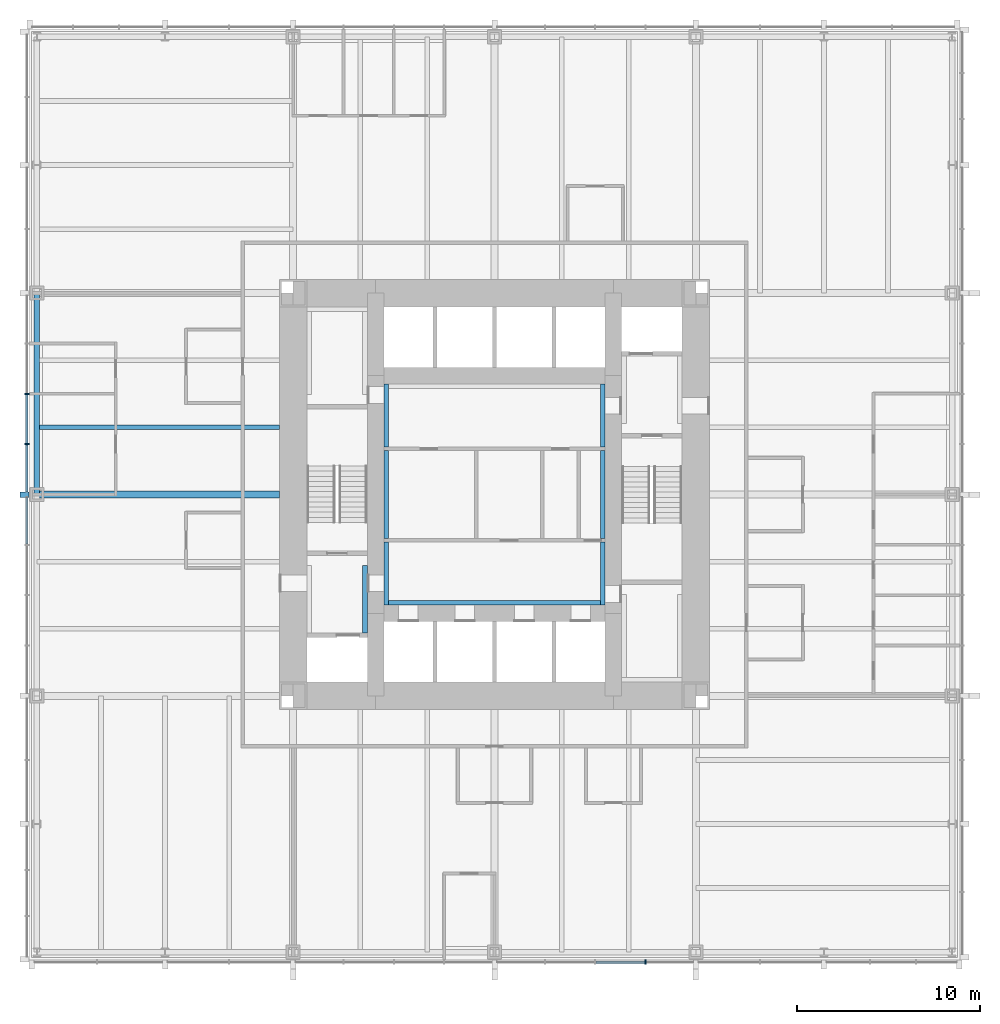
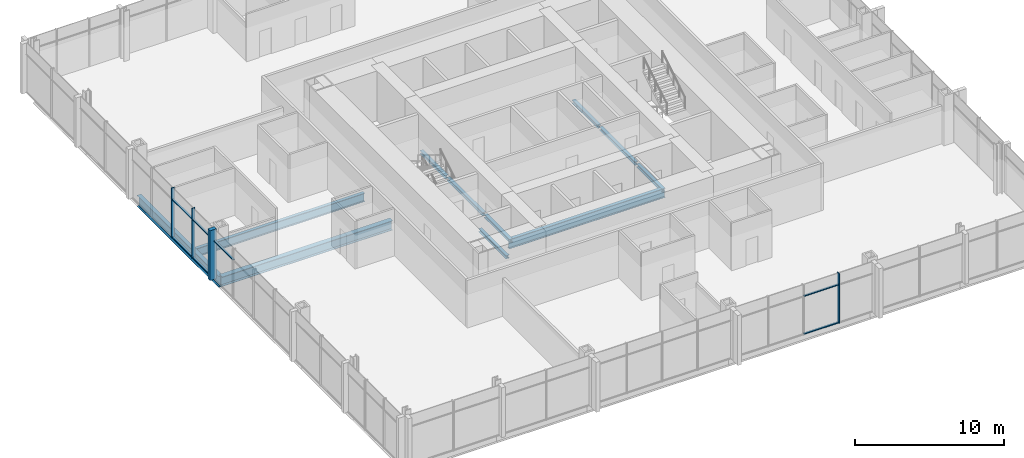
# One storey, part 3 of 12: 11 beams, 11 members, 2 elements without a shape of their own.
"""IFC4 building model written with IfcOpenShell, lengths in metres."""

from ifc_helpers import new_model, si_unit, direction, frame, origin, origin_2d, place, context, subcontext, project, spatial, rectangle, i_section, extrude, material, material_profile, profile_set, type_object, element, aggregate, save


model = new_model("IFC4")

# Units and contexts
model_context = context("Model", 3, precision=1e-05, world=origin(), true_north=direction((0.0, 1.0)))
body_context = subcontext(model_context, "Body", "Model", "MODEL_VIEW")
ifc_project = project(units=[si_unit("LENGTHUNIT", "METRE"), si_unit("AREAUNIT", "SQUARE_METRE"), si_unit("VOLUMEUNIT", "CUBIC_METRE"), si_unit("PLANEANGLEUNIT", "RADIAN"), si_unit("MASSUNIT", "GRAM", prefix="KILO")], contexts=[model_context])

# Site, building, storey
site_placement = place(None, origin())
site = spatial("IfcSite", under=ifc_project, at=site_placement, CompositionType="ELEMENT")
building_placement = place(site_placement, origin())
building = spatial("IfcBuilding", under=site, at=building_placement, Name="Trevanion Tower", CompositionType="ELEMENT")
storey_placement = place(building_placement, frame((0.0, 0.0, 36.5)))
storey = spatial("IfcBuildingStorey", under=building, at=storey_placement, Name="L08", CompositionType="ELEMENT", Elevation=36.5)

# Beam
ifc_material_1 = material(Name="Steel ASTM A992 Grade 50", Category="steel")
ifc_material_profile_1 = material_profile(ifc_material_1, i_section(OverallWidth=0.25390625, OverallDepth=0.700927734375, WebThickness=0.015380859375, FlangeThickness=0.02783203125, at=origin_2d()), Name="W27X129")
ifc_profile_set_1 = profile_set([ifc_material_profile_1], Name="Steel ASTM A992 Grade 50")
beam_type_1 = type_object("IfcBeamType", Name="B3 W27X129", PredefinedType="BEAM", material=ifc_profile_set_1)
beam_1_placement = place(storey_placement, frame((-11.75, 3.666748046875, -0.54052734375), z_axis=(-1.0, 0.0, 0.0), x_axis=(0.0, -1.0, 0.0)))
element("IfcBeam", 1, at=beam_1_placement, inside=storey, type_object=beam_type_1, Name="B3 L08", PredefinedType="BEAM", context=body_context, shape_type="SweptSolid", body=[
    extrude(i_section(OverallWidth=0.25390625, OverallDepth=0.700927734375, WebThickness=0.015380859375, FlangeThickness=0.02783203125, at=origin_2d()), origin(), (0.0, 0.0, 1.0), 13.25),
])

# Curtain wall, members
ifc_material_2 = material(Name="Aluminium and glass", Category="aluminium")
curtain_wall_type = type_object("IfcCurtainWallType", Name="CW1 curtain wall", PredefinedType="USERDEFINED", material=ifc_material_2)
curtain_wall_1_placement = place(storey_placement, origin())
curtain_wall_1 = element("IfcCurtainWall", 2, at=curtain_wall_1_placement, inside=storey, type_object=curtain_wall_type, Name="CW1 L08 2", ObjectType="UNITISED CURTAIN WALL", PredefinedType="USERDEFINED")
ifc_material_3 = material(Name="Aluminium extrusion, anodised bronze", Category="aluminium")
ifc_material_profile_2 = material_profile(ifc_material_3, rectangle(XDim=0.074951171875, YDim=0.25, at=origin_2d()), Name="CW1 mullion")
ifc_profile_set_2 = profile_set([ifc_material_profile_2], Name="Aluminium extrusion, anodised bronze")
member_type_1 = type_object("IfcMemberType", Name="CW1 mullion", PredefinedType="MULLION", material=ifc_profile_set_2)
member_1_placement = place(storey_placement, frame((-25.550048828125, 5.5, -0.18994140625), z_axis=(0.0, 0.0, 1.0), x_axis=(0.0, -1.0, 0.0)))
member_1 = element("IfcMember", 3, at=member_1_placement, type_object=member_type_1, Name="CW1 mullion 7", PredefinedType="MULLION", context=body_context, shape_type="SweptSolid", body=[
    extrude(rectangle(XDim=0.074951171875, YDim=0.25, at=origin_2d()), origin(), (0.0, 0.0, 1.0), 4.099853515625),
])
member_2_placement = place(storey_placement, frame((-25.550048828125, 2.75, -0.18994140625), z_axis=(0.0, 0.0, 1.0), x_axis=(0.0, -1.0, 0.0)))
member_2 = element("IfcMember", 4, at=member_2_placement, type_object=member_type_1, Name="CW1 mullion 8", PredefinedType="MULLION", context=body_context, shape_type="SweptSolid", body=[
    extrude(rectangle(XDim=0.074951171875, YDim=0.25, at=origin_2d()), origin(), (0.0, 0.0, 1.0), 4.099853515625),
])

# Curtain wall, member
curtain_wall_2_placement = place(storey_placement, origin())
curtain_wall_2 = element("IfcCurtainWall", 5, at=curtain_wall_2_placement, inside=storey, type_object=curtain_wall_type, Name="CW1 L08 3", ObjectType="UNITISED CURTAIN WALL", PredefinedType="USERDEFINED")
member_3_placement = place(storey_placement, frame((8.25, -25.550048828125, -0.18994140625), z_axis=(0.0, 0.0, 1.0), x_axis=(1.0, 0.0, 0.0)))
member_3 = element("IfcMember", 6, at=member_3_placement, type_object=member_type_1, Name="CW1 mullion 12", PredefinedType="MULLION", context=body_context, shape_type="SweptSolid", body=[
    extrude(rectangle(XDim=0.074951171875, YDim=0.25, at=origin_2d()), origin(), (0.0, 0.0, 1.0), 4.099853515625),
])

# Member
ifc_material_4 = material(Name="Aluminium extrusion, anodised bronze", Category="aluminium")
ifc_material_profile_3 = material_profile(ifc_material_4, rectangle(XDim=0.300048828125, YDim=0.5, at=origin_2d()), Name="CW1 pier mullion")
ifc_profile_set_3 = profile_set([ifc_material_profile_3], Name="Aluminium extrusion, anodised bronze")
member_type_2 = type_object("IfcMemberType", Name="CW1 pier mullion", PredefinedType="MULLION", material=ifc_profile_set_3)
member_4_placement = place(storey_placement, frame((-25.675048828125, 0.0, -0.18994140625), z_axis=(0.0, 0.0, 1.0), x_axis=(0.0, -1.0, 0.0)))
member_4 = element("IfcMember", 7, at=member_4_placement, type_object=member_type_2, Name="CW1 pier mullion 9", PredefinedType="MULLION", context=body_context, shape_type="SweptSolid", body=[
    extrude(rectangle(XDim=0.300048828125, YDim=0.5, at=origin_2d()), origin(), (0.0, 0.0, 1.0), 4.099853515625),
])

ifc_material_5 = material(Name="Aluminium extrusion, anodised bronze", Category="aluminium")
ifc_material_profile_4 = material_profile(ifc_material_5, rectangle(XDim=0.14990234375, YDim=0.074951171875, at=origin_2d()), Name="CW1 transom")
ifc_profile_set_4 = profile_set([ifc_material_profile_4], Name="Aluminium extrusion, anodised bronze")
member_type_3 = type_object("IfcMemberType", Name="CW1 transom", PredefinedType="USERDEFINED", material=ifc_profile_set_4)
member_5_placement = place(storey_placement, frame((-25.550048828125, 5.46240234375, -0.152587890625), z_axis=(0.0, -1.0, 0.0), x_axis=(1.0, 0.0, 0.0)))
member_5 = element("IfcMember", 8, at=member_5_placement, type_object=member_type_3, Name="CW1 transom 7.1", ObjectType="TRANSOM", PredefinedType="USERDEFINED", context=body_context, shape_type="SweptSolid", body=[
    extrude(rectangle(XDim=0.14990234375, YDim=0.074951171875, at=origin_2d()), origin(), (0.0, 0.0, 1.0), 2.6748046875),
])

member_6_placement = place(storey_placement, frame((-25.550048828125, 5.46240234375, 2.9599609375), z_axis=(0.0, -1.0, 0.0), x_axis=(1.0, 0.0, 0.0)))
member_6 = element("IfcMember", 9, at=member_6_placement, type_object=member_type_3, Name="CW1 transom 7.2", ObjectType="TRANSOM", PredefinedType="USERDEFINED", context=body_context, shape_type="SweptSolid", body=[
    extrude(rectangle(XDim=0.14990234375, YDim=0.074951171875, at=origin_2d()), origin(), (0.0, 0.0, 1.0), 2.6748046875),
])

member_7_placement = place(storey_placement, frame((-25.550048828125, 2.71240234375, -0.152587890625), z_axis=(0.0, -1.0, 0.0), x_axis=(1.0, 0.0, 0.0)))
member_7 = element("IfcMember", 10, at=member_7_placement, type_object=member_type_3, Name="CW1 transom 8.1", ObjectType="TRANSOM", PredefinedType="USERDEFINED", context=body_context, shape_type="SweptSolid", body=[
    extrude(rectangle(XDim=0.14990234375, YDim=0.074951171875, at=origin_2d()), origin(), (0.0, 0.0, 1.0), 2.5625),
])

member_8_placement = place(storey_placement, frame((-25.550048828125, 2.71240234375, 2.9599609375), z_axis=(0.0, -1.0, 0.0), x_axis=(1.0, 0.0, 0.0)))
member_8 = element("IfcMember", 11, at=member_8_placement, type_object=member_type_3, Name="CW1 transom 8.2", ObjectType="TRANSOM", PredefinedType="USERDEFINED", context=body_context, shape_type="SweptSolid", body=[
    extrude(rectangle(XDim=0.14990234375, YDim=0.074951171875, at=origin_2d()), origin(), (0.0, 0.0, 1.0), 2.5625),
])

member_9_placement = place(storey_placement, frame((-25.550048828125, -0.14990234375, 2.9599609375), z_axis=(0.0, -1.0, 0.0), x_axis=(1.0, 0.0, 0.0)))
member_9 = element("IfcMember", 12, at=member_9_placement, type_object=member_type_3, Name="CW1 transom 9.2", ObjectType="TRANSOM", PredefinedType="USERDEFINED", context=body_context, shape_type="SweptSolid", body=[
    extrude(rectangle(XDim=0.14990234375, YDim=0.074951171875, at=origin_2d()), origin(), (0.0, 0.0, 1.0), 2.5625),
])

aggregate(curtain_wall_1, [member_1, member_2, member_4, member_5, member_6, member_7, member_8, member_9])

member_10_placement = place(storey_placement, frame((5.53759765625, -25.550048828125, -0.152587890625), z_axis=(1.0, 0.0, 0.0), x_axis=(0.0, 1.0, 0.0)))
member_10 = element("IfcMember", 13, at=member_10_placement, type_object=member_type_3, Name="CW1 transom 11.1", ObjectType="TRANSOM", PredefinedType="USERDEFINED", context=body_context, shape_type="SweptSolid", body=[
    extrude(rectangle(XDim=0.14990234375, YDim=0.074951171875, at=origin_2d()), origin(), (0.0, 0.0, 1.0), 2.6748046875),
])

member_11_placement = place(storey_placement, frame((5.53759765625, -25.550048828125, 2.9599609375), z_axis=(1.0, 0.0, 0.0), x_axis=(0.0, 1.0, 0.0)))
member_11 = element("IfcMember", 14, at=member_11_placement, type_object=member_type_3, Name="CW1 transom 11.2", ObjectType="TRANSOM", PredefinedType="USERDEFINED", context=body_context, shape_type="SweptSolid", body=[
    extrude(rectangle(XDim=0.14990234375, YDim=0.074951171875, at=origin_2d()), origin(), (0.0, 0.0, 1.0), 2.6748046875),
])

aggregate(curtain_wall_2, [member_3, member_10, member_11])

# Beams
ifc_material_6 = material(Name="Steel ASTM A992 Grade 50", Category="steel")
ifc_material_profile_5 = material_profile(ifc_material_6, i_section(OverallWidth=0.381103515625, OverallDepth=0.77978515625, WebThickness=0.01806640625, FlangeThickness=0.0302734375, at=origin_2d()), Name="W30X191")
ifc_profile_set_5 = profile_set([ifc_material_profile_5], Name="Steel ASTM A992 Grade 50")
beam_type_2 = type_object("IfcBeamType", Name="G2 W30X191", PredefinedType="BEAM", material=ifc_profile_set_5)
beam_2_placement = place(storey_placement, frame((-11.75, 0.0, -0.579833984375), z_axis=(-1.0, 0.0, 0.0), x_axis=(0.0, -1.0, 0.0)))
element("IfcBeam", 15, at=beam_2_placement, inside=storey, type_object=beam_type_2, Name="G2 L08", PredefinedType="BEAM", context=body_context, shape_type="SweptSolid", body=[
    extrude(i_section(OverallWidth=0.381103515625, OverallDepth=0.77978515625, WebThickness=0.01806640625, FlangeThickness=0.0302734375, at=origin_2d()), origin(), (0.0, 0.0, 1.0), 13.25),
])
ifc_material_7 = material(Name="Steel ASTM A992 Grade 50", Category="steel")
ifc_material_profile_6 = material_profile(ifc_material_7, i_section(OverallWidth=0.256591796875, OverallDepth=0.26416015625, WebThickness=0.011962890625, FlangeThickness=0.01953125, at=origin_2d()), Name="W10X68")
ifc_profile_set_6 = profile_set([ifc_material_profile_6], Name="Steel ASTM A992 Grade 50")
beam_type_3 = type_object("IfcBeamType", Name="LB1 W10X68", PredefinedType="BEAM", material=ifc_profile_set_6)
for number, where, z_axis, x_axis, name in (
    (16, (-5.921630859375, 2.60009765625, -0.33203125), (0.0, 1.0, 0.0), (-1.0, 0.0, 0.0), "LB1 L08"),
    (17, (5.921630859375, 2.60009765625, -0.33203125), (0.0, 1.0, 0.0), (-1.0, 0.0, 0.0), "LB1 L08"),
    (18, (-5.921630859375, -6.050048828125, -0.33203125), (0.0, 1.0, 0.0), (-1.0, 0.0, 0.0), "LB1 L08"),
    (19, (5.921630859375, -6.050048828125, -0.33203125), (0.0, 1.0, 0.0), (-1.0, 0.0, 0.0), "LB1 L08"),
):
    element("IfcBeam", number, at=place(storey_placement, frame(where, z_axis=z_axis, x_axis=x_axis)), inside=storey, type_object=beam_type_3, Name=name, PredefinedType="BEAM", context=body_context, shape_type="SweptSolid", body=[
        extrude(i_section(OverallWidth=0.256591796875, OverallDepth=0.26416015625, WebThickness=0.011962890625, FlangeThickness=0.01953125, at=origin_2d()), origin(), (0.0, 0.0, 1.0), 3.449951171875),
    ])
beam_3_placement = place(storey_placement, frame((-7.078369140625, -7.574951171875, -0.33203125), z_axis=(0.0, 1.0, 0.0), x_axis=(-1.0, 0.0, 0.0)))
element("IfcBeam", 20, at=beam_3_placement, inside=storey, type_object=beam_type_3, Name="LB1 L08", PredefinedType="BEAM", context=body_context, shape_type="SweptSolid", body=[
    extrude(i_section(OverallWidth=0.256591796875, OverallDepth=0.26416015625, WebThickness=0.011962890625, FlangeThickness=0.01953125, at=origin_2d()), origin(), (0.0, 0.0, 1.0), 3.699951171875),
])
for number, where, z_axis, x_axis, name in (
    (21, (-5.921630859375, -2.39990234375, -0.33203125), (0.0, 1.0, 0.0), (-1.0, 0.0, 0.0), "LB1 L08"),
    (22, (5.921630859375, -2.39990234375, -0.33203125), (0.0, 1.0, 0.0), (-1.0, 0.0, 0.0), "LB1 L08"),
):
    element("IfcBeam", number, at=place(storey_placement, frame(where, z_axis=z_axis, x_axis=x_axis)), inside=storey, type_object=beam_type_3, Name=name, PredefinedType="BEAM", context=body_context, shape_type="SweptSolid", body=[
        extrude(i_section(OverallWidth=0.256591796875, OverallDepth=0.26416015625, WebThickness=0.011962890625, FlangeThickness=0.01953125, at=origin_2d()), origin(), (0.0, 0.0, 1.0), 4.7998046875),
    ])
ifc_material_8 = material(Name="Steel ASTM A992 Grade 50", Category="steel")
ifc_material_profile_7 = material_profile(ifc_material_8, i_section(OverallWidth=0.2666015625, OverallDepth=0.76953125, WebThickness=0.015625, FlangeThickness=0.025390625, at=origin_2d()), Name="W30X132")
ifc_profile_set_7 = profile_set([ifc_material_profile_7], Name="Steel ASTM A992 Grade 50")
beam_type_4 = type_object("IfcBeamType", Name="LB3 W30X132", PredefinedType="BEAM", material=ifc_profile_set_7)
beam_4_placement = place(storey_placement, frame((-6.050048828125, -5.91650390625, -0.584716796875), z_axis=(1.0, 0.0, 0.0), x_axis=(0.0, 1.0, 0.0)))
element("IfcBeam", 23, at=beam_4_placement, inside=storey, type_object=beam_type_4, Name="LB3 L08", PredefinedType="BEAM", context=body_context, shape_type="SweptSolid", body=[
    extrude(i_section(OverallWidth=0.2666015625, OverallDepth=0.76953125, WebThickness=0.015625, FlangeThickness=0.025390625, at=origin_2d()), origin(), (0.0, 0.0, 1.0), 12.10009765625),
])
ifc_material_9 = material(Name="Steel ASTM A992 Grade 50", Category="steel")
ifc_material_profile_8 = material_profile(ifc_material_9, i_section(OverallWidth=0.307373046875, OverallDepth=0.927001953125, WebThickness=0.01953125, FlangeThickness=0.031982421875, at=origin_2d()), Name="W36X194")
ifc_profile_set_8 = profile_set([ifc_material_profile_8], Name="Steel ASTM A992 Grade 50")
beam_type_5 = type_object("IfcBeamType", Name="SB2 W36X194", PredefinedType="SPANDREL", material=ifc_profile_set_8)
beam_5_placement = place(storey_placement, frame((-25.0, 11.0, -0.653564453125), z_axis=(0.0, -1.0, 0.0), x_axis=(1.0, 0.0, 0.0)))
element("IfcBeam", 24, at=beam_5_placement, inside=storey, type_object=beam_type_5, Name="SB2 L08", PredefinedType="SPANDREL", context=body_context, shape_type="SweptSolid", body=[
    extrude(i_section(OverallWidth=0.307373046875, OverallDepth=0.927001953125, WebThickness=0.01953125, FlangeThickness=0.031982421875, at=origin_2d()), origin(), (0.0, 0.0, 1.0), 11.0),
])

save(model, "model.ifc")
